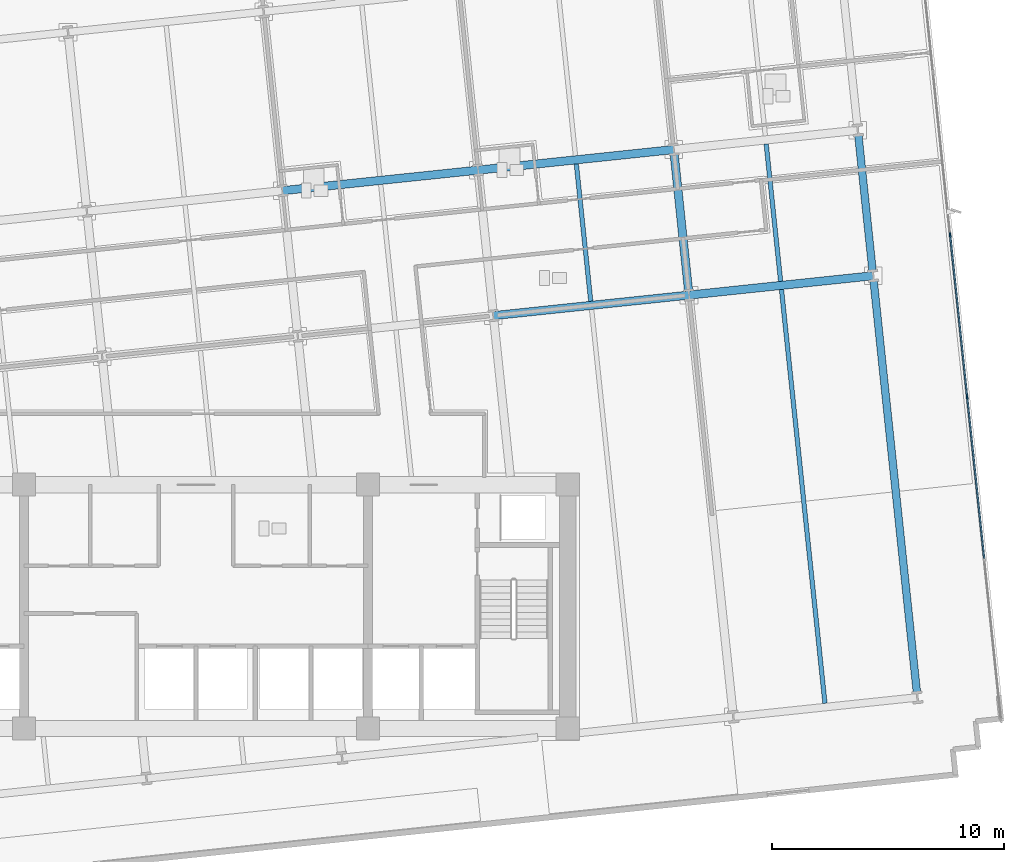
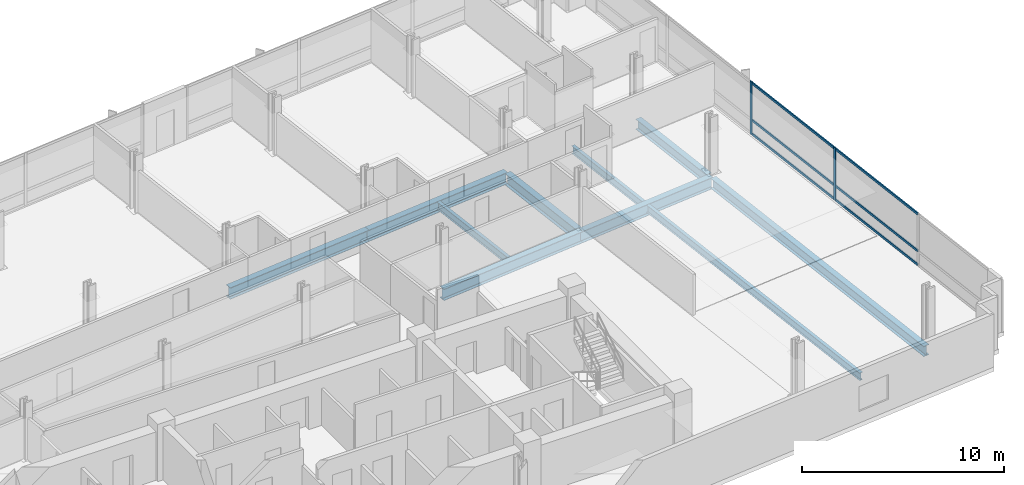
# One storey, part 5 of 18: 10 beams, 8 members, 1 element without a shape of its own.
"""IFC4 building model written with IfcOpenShell, lengths in metres."""

import ifcopenshell
import ifcopenshell.guid

model = None  # the IFC model being written
_history = None  # IfcOwnerHistory: only IFC2X3 demands one
_inside = {}  # id of a spatial element -> (the spatial element, [elements in it])
_under = {}  # id of a project, library or spatial element -> (it, [spatial elements below it])
_declared = {}  # id of a project -> (the project, [libraries it declares])
_typed = {}  # id of a type object -> (the type object, [elements of that type])
_made_of = {}  # id of a material, layer set ... -> (it, [elements and type objects made of it])


def new_model(schema):
    """Start an empty IFC model of exactly this schema.

    Asked for "IFC4X3", IfcOpenShell would pick the latest addendum, in which some entities
    have other attributes; the version numbers below select the first issue.
    IFC2X3 requires an IfcOwnerHistory on every rooted entity: one is made here for all.
    """
    global model, _history
    if schema == "IFC4X3":
        model = ifcopenshell.file(schema_version=(4, 3, 0, 0))
    else:
        model = ifcopenshell.file(schema=schema)
    _inside.clear()
    _under.clear()
    _declared.clear()
    _typed.clear()
    _made_of.clear()
    _history = None
    if model.schema == "IFC2X3":
        org = make("IfcOrganization", Name="unknown")
        user = make(
            "IfcPersonAndOrganization",
            ThePerson=make("IfcPerson", FamilyName="unknown"),
            TheOrganization=org,
        )
        app = make(
            "IfcApplication",
            ApplicationDeveloper=org,
            Version="unknown",
            ApplicationFullName="unknown",
            ApplicationIdentifier="unknown",
        )
        _history = make(
            "IfcOwnerHistory",
            OwningUser=user,
            OwningApplication=app,
            ChangeAction="ADDED",
            CreationDate=0,
        )
    return model


def make(cls, **values):
    """One entity of the class cls with the attributes given. An attribute that is None is left unset."""
    return model.create_entity(
        cls, **{name: value for name, value in values.items() if value is not None}
    )


def rooted(cls, **values):
    """An entity with a GlobalId (a new one), such as an element, a storey or a relation."""
    return make(cls, GlobalId=ifcopenshell.guid.new(), OwnerHistory=_history, **values)


def si_unit(unit_type, name, prefix=None):
    """IfcSIUnit, for example si_unit("LENGTHUNIT", "METRE", prefix="MILLI")."""
    return make("IfcSIUnit", UnitType=unit_type, Prefix=prefix, Name=name)


def assignment(units):
    """IfcUnitAssignment: the units of a project."""
    return None if units is None else make("IfcUnitAssignment", Units=units)


def point(xyz):
    """IfcCartesianPoint."""
    return None if xyz is None else make("IfcCartesianPoint", Coordinates=xyz)


def direction(xyz):
    """IfcDirection."""
    return None if xyz is None else make("IfcDirection", DirectionRatios=xyz)


def frame(location, z_axis=None, x_axis=None):
    """IfcAxis2Placement3D, a coordinate frame: its origin and axes. An axis left out is left unset."""
    return make(
        "IfcAxis2Placement3D",
        Location=point(location),
        Axis=direction(z_axis),
        RefDirection=direction(x_axis),
    )


def frame_2d(location, x_axis=None):
    """IfcAxis2Placement2D, a coordinate frame in the plane: its origin and x axis."""
    return make(
        "IfcAxis2Placement2D", Location=point(location), RefDirection=direction(x_axis)
    )


def origin():
    """The frame at (0, 0, 0) with its axes left unset."""
    return frame((0.0, 0.0, 0.0))


def origin_2d():
    """The frame at (0, 0) in the plane with its x axis left unset."""
    return frame_2d((0.0, 0.0))


def place(relative_to, where):
    """IfcLocalPlacement: puts the frame where relative to a parent placement (None: the world)."""
    return make(
        "IfcLocalPlacement", PlacementRelTo=relative_to, RelativePlacement=where
    )


def context(
    kind, dimensions, precision=None, world=None, true_north=None, identifier=None
):
    """IfcGeometricRepresentationContext, for example the 3D "Model" context."""
    return make(
        "IfcGeometricRepresentationContext",
        ContextIdentifier=identifier,
        ContextType=kind,
        CoordinateSpaceDimension=dimensions,
        Precision=precision,
        WorldCoordinateSystem=world,
        TrueNorth=true_north,
    )


def subcontext(parent, identifier, kind, view, scale=None):
    """IfcGeometricRepresentationSubContext, for example "Body" below "Model"."""
    return make(
        "IfcGeometricRepresentationSubContext",
        ContextIdentifier=identifier,
        ContextType=kind,
        ParentContext=parent,
        TargetScale=scale,
        TargetView=view,
    )


def project(units=None, contexts=None):
    """IfcProject with its units and contexts."""
    return rooted(
        "IfcProject",
        Name="project",
        RepresentationContexts=contexts,
        UnitsInContext=assignment(units),
    )


def spatial(cls, under=None, at=None, **own):
    """A site, building, storey or space (cls), placed at a placement, below another one or the project."""
    s = rooted(cls, ObjectPlacement=at, **own)
    if under is not None:
        _under.setdefault(under.id(), (under, []))[1].append(s)
    return s


def profile(cls, at=None, kind="AREA", **sizes):
    """A parametric profile (cls). Its sizes go by their IFC names, for example OverallWidth=200.0."""
    return make(cls, ProfileType=kind, Position=at, **sizes)


def rectangle(**sizes):
    """IfcRectangleProfileDef."""
    return profile("IfcRectangleProfileDef", **sizes)


def i_section(**sizes):
    """IfcIShapeProfileDef."""
    return profile("IfcIShapeProfileDef", **sizes)


def extrude(swept, where, along, depth):
    """IfcExtrudedAreaSolid: the profile swept, set in the frame where, extruded along a direction by depth."""
    return make(
        "IfcExtrudedAreaSolid",
        SweptArea=swept,
        Position=where,
        ExtrudedDirection=direction(along),
        Depth=depth,
    )


def shape(context_of_items, identifier, shape_type, items):
    """IfcShapeRepresentation: the items that make up one representation, for example the "Body"."""
    return make(
        "IfcShapeRepresentation",
        ContextOfItems=context_of_items,
        RepresentationIdentifier=identifier,
        RepresentationType=shape_type,
        Items=items,
    )


def material(Name=None, Category=None):
    """IfcMaterial."""
    return make("IfcMaterial", Name=Name, Category=Category)


def material_profile(
    of_material, cross_section, Name=None, Category=None, Priority=None
):
    """IfcMaterialProfile: a cross section and its material."""
    return make(
        "IfcMaterialProfile",
        Name=Name,
        Material=of_material,
        Profile=cross_section,
        Priority=Priority,
        Category=Category,
    )


def profile_set(profiles, Name=None, composite=None):
    """IfcMaterialProfileSet."""
    return make(
        "IfcMaterialProfileSet",
        Name=Name,
        MaterialProfiles=profiles,
        CompositeProfile=composite,
    )


def made_of(thing, what):
    """Note that an element or type object is made of a material, layer set ...; save() writes the relation."""
    if what is not None:
        _made_of.setdefault(what.id(), (what, []))[1].append(thing)
    return thing


def type_object(cls, material=None, **own):
    """A type object (cls), such as IfcWallType, which elements share."""
    return made_of(rooted(cls, **own), material)


def element(
    cls,
    number,
    at=None,
    inside=None,
    cuts=None,
    type_object=None,
    material=None,
    context=None,
    identifier="Body",
    shape_type=None,
    held_by="IfcProductDefinitionShape",
    body=None,
    shapes=None,
    **own,
):
    """One element of the class cls, such as IfcWall. Its Tag is "e" and its number.

    at: its placement. inside: the storey or other place that contains it. cuts: it is an
    opening in that element (IfcRelVoidsElement). A single representation is given by context,
    identifier, shape_type and body (its items); several are given by shapes. held_by: the class
    of the entity that holds the representations. save() writes the other relations.
    """
    e = rooted(cls, Tag="e%d" % number, ObjectPlacement=at, **own)
    if body is not None:
        shapes = [shape(context, identifier, shape_type, body)]
    if shapes is not None:
        e.Representation = make(held_by, Representations=shapes)
    if inside is not None:
        _inside.setdefault(inside.id(), (inside, []))[1].append(e)
    if cuts is not None:
        rooted(
            "IfcRelVoidsElement", RelatingBuildingElement=cuts, RelatedOpeningElement=e
        )
    if type_object is not None:
        _typed.setdefault(type_object.id(), (type_object, []))[1].append(e)
    return made_of(e, material)


def aggregate(whole, parts):
    """IfcRelAggregates: a whole, such as a stair, and the parts it consists of."""
    return rooted("IfcRelAggregates", RelatingObject=whole, RelatedObjects=parts)


def save(model, path):
    """Write the relations noted so far, then the file.

    IfcRelAggregates (storeys below a building ...), IfcRelContainedInSpatialStructure (elements
    in a storey), IfcRelDefinesByType, IfcRelAssociatesMaterial and IfcRelDeclares: one each for
    every whole, place, type object, material and project.
    """
    for whole, parts in _under.values():
        aggregate(whole, parts)
    for where, things in _inside.values():
        rooted(
            "IfcRelContainedInSpatialStructure",
            RelatedElements=things,
            RelatingStructure=where,
        )
    for kind, things in _typed.values():
        rooted("IfcRelDefinesByType", RelatedObjects=things, RelatingType=kind)
    for what, things in _made_of.values():
        rooted("IfcRelAssociatesMaterial", RelatedObjects=things, RelatingMaterial=what)
    for by, libraries in _declared.values():
        rooted("IfcRelDeclares", RelatingContext=by, RelatedDefinitions=libraries)
    model.write(path)


model = new_model("IFC4")

# Units and contexts
model_context = context("Model", 3, precision=1e-05, world=origin(), true_north=direction((0.0, 1.0)))
body_context = subcontext(model_context, "Body", "Model", "MODEL_VIEW")
ifc_project = project(units=[si_unit("LENGTHUNIT", "METRE"), si_unit("AREAUNIT", "SQUARE_METRE"), si_unit("VOLUMEUNIT", "CUBIC_METRE"), si_unit("PLANEANGLEUNIT", "RADIAN"), si_unit("MASSUNIT", "GRAM", prefix="KILO")], contexts=[model_context])

# Site, building, storey
site_placement = place(None, origin())
site = spatial("IfcSite", under=ifc_project, at=site_placement, CompositionType="ELEMENT")
building_placement = place(site_placement, origin())
building = spatial("IfcBuilding", under=site, at=building_placement, Name="Solmavex Isthmus Hotel", CompositionType="ELEMENT")
storey_placement = place(building_placement, frame((0.0, 0.0, 123.60009765625)))
storey = spatial("IfcBuildingStorey", under=building, at=storey_placement, Name="L33", CompositionType="ELEMENT", Elevation=123.60009765625)

# Beams
ifc_material_1 = material(Name="Steel ASTM A992 Grade 50", Category="steel")
ifc_material_profile_1 = material_profile(ifc_material_1, i_section(OverallWidth=0.354736328125, OverallDepth=0.695556640625, WebThickness=0.015380859375, FlangeThickness=0.02490234375, FilletRadius=0.017822265625, at=origin_2d()), Name="W27X146")
ifc_profile_set_1 = profile_set([ifc_material_profile_1], Name="Steel ASTM A992 Grade 50")
beam_type_1 = type_object("IfcBeamType", Name="BM-BG-W27X146", PredefinedType="BEAM", material=ifc_profile_set_1)
beam_1_placement = place(storey_placement, frame((12.800048828125, 4.7734375, -0.60791015625), z_axis=(0.994521085209, 0.104536171134, 0.0), x_axis=(-0.104536171134, 0.994521085209, 0.0)))
element("IfcBeam", 1, at=beam_1_placement, inside=storey, type_object=beam_type_1, Name="Floor Girder L33-UG11", PredefinedType="BEAM", context=body_context, shape_type="SweptSolid", body=[
    extrude(i_section(OverallWidth=0.354736328125, OverallDepth=0.695556640625, WebThickness=0.015380859375, FlangeThickness=0.02490234375, FilletRadius=0.017822265625, at=origin_2d()), origin(), (0.0, 0.0, 1.0), 8.466064453125),
])
beam_2_placement = place(storey_placement, frame((21.2197265625, 5.658447265625, -0.60791015625), z_axis=(0.994523402738, 0.104514120609, 0.0), x_axis=(-0.104514120609, 0.994523402738, 0.0)))
element("IfcBeam", 2, at=beam_2_placement, inside=storey, type_object=beam_type_1, Name="Floor Girder L33-UG12", PredefinedType="BEAM", context=body_context, shape_type="SweptSolid", body=[
    extrude(i_section(OverallWidth=0.354736328125, OverallDepth=0.695556640625, WebThickness=0.015380859375, FlangeThickness=0.02490234375, FilletRadius=0.017822265625, at=origin_2d()), origin(), (0.0, 0.0, 1.0), 7.968017578125),
])
for number, where, z_axis, x_axis, name in (
    (3, (3.72216796875, 10.152099609375, -0.60791015625), (0.994524082861, 0.104507648572, 0.0), (-0.104507648572, 0.994524082861, 0.0), "Floor Girder L33-UG16"),
    (4, (12.141845703125, 11.036865234375, -0.60791015625), (0.994521085209, 0.104536171134, 0.0), (-0.104536171134, 0.994521085209, 0.0), "Floor Girder L33-UG17"),
):
    element("IfcBeam", number, at=place(storey_placement, frame(where, z_axis=z_axis, x_axis=x_axis)), inside=storey, type_object=beam_type_1, Name=name, PredefinedType="BEAM", context=body_context, shape_type="SweptSolid", body=[
        extrude(i_section(OverallWidth=0.354736328125, OverallDepth=0.695556640625, WebThickness=0.015380859375, FlangeThickness=0.02490234375, FilletRadius=0.017822265625, at=origin_2d()), origin(), (0.0, 0.0, 1.0), 8.466064453125),
    ])
beam_3_placement = place(storey_placement, frame((21.201171875, 5.834716796875, -0.60791015625), z_axis=(-0.104505160346, 0.994524344328, 0.0), x_axis=(-0.994524344328, -0.104505160346, 0.0)))
element("IfcBeam", 5, at=beam_3_placement, inside=storey, type_object=beam_type_1, Name="Floor Beam L33-VG44", PredefinedType="BEAM", context=body_context, shape_type="SweptSolid", body=[
    extrude(i_section(OverallWidth=0.354736328125, OverallDepth=0.695556640625, WebThickness=0.015380859375, FlangeThickness=0.02490234375, FilletRadius=0.017822265625, at=origin_2d()), origin(), (0.0, 0.0, 1.0), 5.943115234375),
])
ifc_material_profile_2 = material_profile(ifc_material_1, i_section(OverallWidth=0.1904296875, OverallDepth=0.456787109375, WebThickness=0.009033203125, FlangeThickness=0.014404296875, FilletRadius=0.0126953125, at=origin_2d()), Name="W18X50")
ifc_profile_set_2 = profile_set([ifc_material_profile_2], Name="Steel ASTM A992 Grade 50")
beam_type_2 = type_object("IfcBeamType", Name="BM-BJ-W18X50", PredefinedType="JOIST", material=ifc_profile_set_2)
beam_4_placement = place(storey_placement, frame((16.991455078125, 5.392333984375, -0.488525390625), z_axis=(-0.104545790518, 0.994520074048, 0.0), x_axis=(-0.994520074048, -0.104545790518, 0.0)))
element("IfcBeam", 6, at=beam_4_placement, inside=storey, type_object=beam_type_2, Name="Secondary Floor Joist L33-J17", PredefinedType="JOIST", context=body_context, shape_type="SweptSolid", body=[
    extrude(i_section(OverallWidth=0.1904296875, OverallDepth=0.456787109375, WebThickness=0.009033203125, FlangeThickness=0.014404296875, FilletRadius=0.0126953125, at=origin_2d()), origin(), (0.0, 0.0, 1.0), 5.943115234375),
])
beam_5_placement = place(storey_placement, frame((27.072509765625, -11.912841796875, -0.488525390625), z_axis=(-0.104530088192, 0.99452172458, 0.0), x_axis=(-0.99452172458, -0.104530088192, 0.0)))
element("IfcBeam", 7, at=beam_5_placement, inside=storey, type_object=beam_type_2, Name="Secondary Floor Joist L33-J19", PredefinedType="JOIST", context=body_context, shape_type="SweptSolid", body=[
    extrude(i_section(OverallWidth=0.1904296875, OverallDepth=0.456787109375, WebThickness=0.009033203125, FlangeThickness=0.014404296875, FilletRadius=0.0126953125, at=origin_2d()), origin(), (0.0, 0.0, 1.0), 17.909423828125),
])
beam_6_placement = place(storey_placement, frame((25.163330078125, 6.251220703125, -0.488525390625), z_axis=(-0.104505160346, 0.994524344328, 0.0), x_axis=(-0.994524344328, -0.104505160346, 0.0)))
element("IfcBeam", 8, at=beam_6_placement, inside=storey, type_object=beam_type_2, Name="Secondary Floor Joist L33-J20", PredefinedType="JOIST", context=body_context, shape_type="SweptSolid", body=[
    extrude(i_section(OverallWidth=0.1904296875, OverallDepth=0.456787109375, WebThickness=0.009033203125, FlangeThickness=0.014404296875, FilletRadius=0.0126953125, at=origin_2d()), origin(), (0.0, 0.0, 1.0), 5.943115234375),
])
ifc_material_profile_3 = material_profile(ifc_material_1, i_section(OverallWidth=0.326416015625, OverallDepth=0.621826171875, WebThickness=0.015380859375, FlangeThickness=0.0244140625, FilletRadius=0.01513671875, at=origin_2d()), Name="W24X131")
ifc_profile_set_3 = profile_set([ifc_material_profile_3], Name="Steel ASTM A992 Grade 50")
beam_type_3 = type_object("IfcBeamType", Name="BM-SP-W24X131", PredefinedType="SPANDREL", material=ifc_profile_set_3)
beam_7_placement = place(storey_placement, frame((31.03466796875, -11.496337890625, -0.571044921875), z_axis=(-0.104530088192, 0.99452172458, 0.0), x_axis=(-0.99452172458, -0.104530088192, 0.0)))
element("IfcBeam", 9, at=beam_7_placement, inside=storey, type_object=beam_type_3, Name="Floor Beam L33-VG46", PredefinedType="SPANDREL", context=body_context, shape_type="SweptSolid", body=[
    extrude(i_section(OverallWidth=0.326416015625, OverallDepth=0.621826171875, WebThickness=0.015380859375, FlangeThickness=0.0244140625, FilletRadius=0.01513671875, at=origin_2d()), origin(), (0.0, 0.0, 1.0), 17.909423828125),
])
beam_8_placement = place(storey_placement, frame((29.12548828125, 6.667724609375, -0.571044921875), z_axis=(-0.104505160346, 0.994524344328, 0.0), x_axis=(-0.994524344328, -0.104505160346, 0.0)))
element("IfcBeam", 10, at=beam_8_placement, inside=storey, type_object=beam_type_3, Name="Floor Beam L33-VG47", PredefinedType="SPANDREL", context=body_context, shape_type="SweptSolid", body=[
    extrude(i_section(OverallWidth=0.326416015625, OverallDepth=0.621826171875, WebThickness=0.015380859375, FlangeThickness=0.0244140625, FilletRadius=0.01513671875, at=origin_2d()), origin(), (0.0, 0.0, 1.0), 5.943115234375),
])

# Curtain wall, members
ifc_material_2 = material(Name="Aluminium alloy 6063-T6", Category="aluminium")
curtain_wall_type = type_object("IfcCurtainWallType", Name="CW-SYS-03", PredefinedType="NOTDEFINED", material=ifc_material_2)
curtain_wall_placement = place(storey_placement, origin())
curtain_wall = element("IfcCurtainWall", 11, at=curtain_wall_placement, inside=storey, type_object=curtain_wall_type, Name="Stick Curtain Wall CWL-L33-E1", PredefinedType="NOTDEFINED")
ifc_material_profile_4 = material_profile(ifc_material_2, rectangle(XDim=0.070068359375, YDim=0.179931640625, at=origin_2d()), Name="CWM-70X180")
ifc_profile_set_4 = profile_set([ifc_material_profile_4], Name="Aluminium alloy 6063-T6")
member_type_1 = type_object("IfcMemberType", Name="CW-SYS-03-MUL", PredefinedType="MULLION", material=ifc_profile_set_4)
member_1_placement = place(storey_placement, frame((33.19140625, 1.275634765625, 0.0), z_axis=(0.0, 0.0, 1.0), x_axis=(-0.994521893044, -0.104528485381, 0.0)))
member_1 = element("IfcMember", 12, at=member_1_placement, type_object=member_type_1, Name="CW-03 mullion 3", PredefinedType="MULLION", context=body_context, shape_type="SweptSolid", body=[
    extrude(rectangle(XDim=0.070068359375, YDim=0.179931640625, at=origin_2d()), origin(), (0.0, 0.0, 1.0), 3.18994140625),
])
member_2_placement = place(storey_placement, frame((32.45751953125, 8.25732421875, 0.0), z_axis=(0.0, 0.0, 1.0), x_axis=(-0.994521893044, -0.104528485381, 0.0)))
member_2 = element("IfcMember", 13, at=member_2_placement, type_object=member_type_1, Name="CW-03 mullion 4", PredefinedType="MULLION", context=body_context, shape_type="SweptSolid", body=[
    extrude(rectangle(XDim=0.070068359375, YDim=0.179931640625, at=origin_2d()), origin(), (0.0, 0.0, 1.0), 3.18994140625),
])
ifc_material_profile_5 = material_profile(ifc_material_2, rectangle(XDim=0.070068359375, YDim=0.139892578125, at=origin_2d()), Name="CWT-70X140")
ifc_profile_set_5 = profile_set([ifc_material_profile_5], Name="Aluminium alloy 6063-T6")
member_type_2 = type_object("IfcMemberType", Name="CW-SYS-03-TRN", PredefinedType="USERDEFINED", material=ifc_profile_set_5)
member_3_placement = place(storey_placement, frame((33.921630859375, -5.6708984375, 0.06982421875), z_axis=(-0.104542152467, 0.99452045648, 0.0), x_axis=(-0.99452045648, -0.104542152467, 0.0)))
member_3 = element("IfcMember", 14, at=member_3_placement, type_object=member_type_2, Name="CW-03 transom 2.1", ObjectType="TRANSOM", PredefinedType="USERDEFINED", context=body_context, shape_type="SweptSolid", body=[
    extrude(rectangle(XDim=0.070068359375, YDim=0.139892578125, at=origin_2d()), origin(), (0.0, 0.0, 1.0), 6.949951171875),
])
member_4_placement = place(storey_placement, frame((33.921630859375, -5.6708984375, 0.89990234375), z_axis=(-0.104542152467, 0.99452045648, 0.0), x_axis=(-0.99452045648, -0.104542152467, 0.0)))
member_4 = element("IfcMember", 15, at=member_4_placement, type_object=member_type_2, Name="CW-03 transom 2.2", ObjectType="TRANSOM", PredefinedType="USERDEFINED", context=body_context, shape_type="SweptSolid", body=[
    extrude(rectangle(XDim=0.070068359375, YDim=0.139892578125, at=origin_2d()), origin(), (0.0, 0.0, 1.0), 6.949951171875),
])
member_5_placement = place(storey_placement, frame((33.921630859375, -5.6708984375, 3.119873046875), z_axis=(-0.104542152467, 0.99452045648, 0.0), x_axis=(-0.99452045648, -0.104542152467, 0.0)))
member_5 = element("IfcMember", 16, at=member_5_placement, type_object=member_type_2, Name="CW-03 transom 2.3", ObjectType="TRANSOM", PredefinedType="USERDEFINED", context=body_context, shape_type="SweptSolid", body=[
    extrude(rectangle(XDim=0.070068359375, YDim=0.139892578125, at=origin_2d()), origin(), (0.0, 0.0, 1.0), 6.949951171875),
])
member_6_placement = place(storey_placement, frame((33.187744140625, 1.310546875, 0.06982421875), z_axis=(-0.104542152467, 0.99452045648, 0.0), x_axis=(-0.99452045648, -0.104542152467, 0.0)))
member_6 = element("IfcMember", 17, at=member_6_placement, type_object=member_type_2, Name="CW-03 transom 3.1", ObjectType="TRANSOM", PredefinedType="USERDEFINED", context=body_context, shape_type="SweptSolid", body=[
    extrude(rectangle(XDim=0.070068359375, YDim=0.139892578125, at=origin_2d()), origin(), (0.0, 0.0, 1.0), 6.949951171875),
])
member_7_placement = place(storey_placement, frame((33.187744140625, 1.310546875, 0.89990234375), z_axis=(-0.104542152467, 0.99452045648, 0.0), x_axis=(-0.99452045648, -0.104542152467, 0.0)))
member_7 = element("IfcMember", 18, at=member_7_placement, type_object=member_type_2, Name="CW-03 transom 3.2", ObjectType="TRANSOM", PredefinedType="USERDEFINED", context=body_context, shape_type="SweptSolid", body=[
    extrude(rectangle(XDim=0.070068359375, YDim=0.139892578125, at=origin_2d()), origin(), (0.0, 0.0, 1.0), 6.949951171875),
])
member_8_placement = place(storey_placement, frame((33.187744140625, 1.310546875, 3.119873046875), z_axis=(-0.104542152467, 0.99452045648, 0.0), x_axis=(-0.99452045648, -0.104542152467, 0.0)))
member_8 = element("IfcMember", 19, at=member_8_placement, type_object=member_type_2, Name="CW-03 transom 3.3", ObjectType="TRANSOM", PredefinedType="USERDEFINED", context=body_context, shape_type="SweptSolid", body=[
    extrude(rectangle(XDim=0.070068359375, YDim=0.139892578125, at=origin_2d()), origin(), (0.0, 0.0, 1.0), 6.949951171875),
])
aggregate(curtain_wall, [member_1, member_2, member_3, member_4, member_5, member_6, member_7, member_8])

save(model, "model.ifc")
